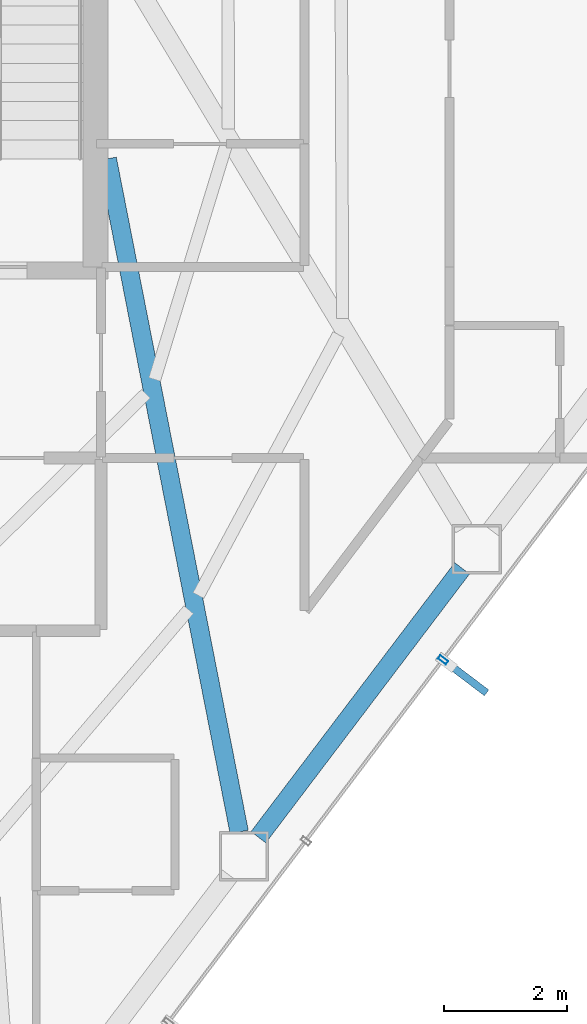
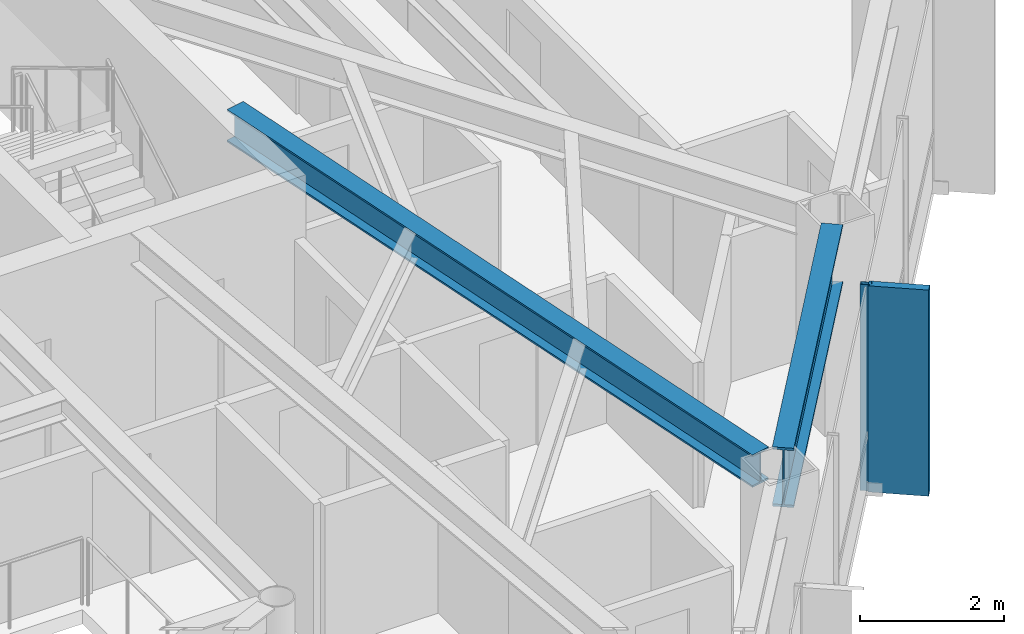
# One storey, part 17 of 28: 2 beams, 2 members, 1 element without a shape of its own.
"""IFC4 building model written with IfcOpenShell, lengths in metres."""

from ifc_helpers import new_model, si_unit, direction, frame, origin, origin_2d, place, context, subcontext, project, spatial, rectangle, hollow_rectangle, i_section, extrude, material, layer, layer_set, material_profile, profile_set, type_object, element, aggregate, save


model = new_model("IFC4")

# Units and contexts
model_context = context("Model", 3, precision=1e-05, world=origin(), true_north=direction((0.0, 1.0)))
body_context = subcontext(model_context, "Body", "Model", "MODEL_VIEW")
ifc_project = project(units=[si_unit("LENGTHUNIT", "METRE"), si_unit("AREAUNIT", "SQUARE_METRE"), si_unit("VOLUMEUNIT", "CUBIC_METRE"), si_unit("PLANEANGLEUNIT", "RADIAN"), si_unit("MASSUNIT", "GRAM", prefix="KILO")], contexts=[model_context])

# Site, building, storey
site_placement = place(None, origin())
site = spatial("IfcSite", under=ifc_project, at=site_placement, CompositionType="ELEMENT")
building_placement = place(site_placement, origin())
building = spatial("IfcBuilding", under=site, at=building_placement, Name="Zarrinselat Tower", CompositionType="ELEMENT")
storey_placement = place(building_placement, frame((0.0, 0.0, 123.419921875)))
storey = spatial("IfcBuildingStorey", under=building, at=storey_placement, Name="L29", CompositionType="ELEMENT", Elevation=123.419921875)

# Beams
ifc_material_1 = material(Name="Steel S355J2", Category="steel")
ifc_material_profile_1 = material_profile(ifc_material_1, i_section(OverallWidth=0.300048828125, OverallDepth=0.550048828125, WebThickness=0.014892578125, FlangeThickness=0.029052734375, at=origin_2d()), Name="HEB 550")
ifc_profile_set_1 = profile_set([ifc_material_profile_1], Name="Steel S355J2")
beam_type_1 = type_object("IfcBeamType", Name="BM-HEB550", PredefinedType="BEAM", material=ifc_profile_set_1)
beam_1_placement = place(storey_placement, frame((48.449951171875, 35.0, 3.22509765625), z_axis=(0.192394559614, -0.981317651645, 0.0), x_axis=(0.981317651645, 0.192394559614, 0.0)))
element("IfcBeam", 1, at=beam_1_placement, inside=storey, type_object=beam_type_1, Name="L29 Radial Primary Girder RG12", PredefinedType="BEAM", context=body_context, shape_type="SweptSolid", body=[
    extrude(i_section(OverallWidth=0.300048828125, OverallDepth=0.550048828125, WebThickness=0.014892578125, FlangeThickness=0.029052734375, at=origin_2d()), origin(), (0.0, 0.0, 1.0), 11.11865234375),
])
ifc_material_2 = material(Name="Steel S460M", Category="steel")
ifc_material_profile_2 = material_profile(ifc_material_2, i_section(OverallWidth=0.302001953125, OverallDepth=1.008056640625, WebThickness=0.02099609375, FlangeThickness=0.0400390625, at=origin_2d()), Name="HEM 1000")
ifc_profile_set_2 = profile_set([ifc_material_profile_2], Name="Steel S460M")
beam_type_2 = type_object("IfcBeamType", Name="BM-HEM1000", PredefinedType="BEAM", material=ifc_profile_set_2)
beam_2_placement = place(storey_placement, frame((50.900634765625, 24.00390625, 2.99609375), z_axis=(0.603885188212, 0.79707131391, 0.0), x_axis=(-0.79707131391, 0.603885188212, 0.0)))
element("IfcBeam", 2, at=beam_2_placement, inside=storey, type_object=beam_type_2, Name="L29 Perimeter Spandrel Girder SP12", PredefinedType="BEAM", context=body_context, shape_type="SweptSolid", body=[
    extrude(i_section(OverallWidth=0.302001953125, OverallDepth=1.008056640625, WebThickness=0.02099609375, FlangeThickness=0.0400390625, at=origin_2d()), origin(), (0.0, 0.0, 1.0), 5.469482421875),
])

# Curtain wall, members
ifc_material_3 = material(Name="Extruded Aluminium Alloy EN AW-6063 T6", Category="aluminium")
ifc_layer = layer(ifc_material_3, 0.175048828125)
ifc_layer_set = layer_set([ifc_layer], Name="Extruded Aluminium Alloy EN AW-6063 T6")
curtain_wall_type = type_object("IfcCurtainWallType", Name="CWS-HTL", PredefinedType="NOTDEFINED", material=ifc_layer_set)
curtain_wall_placement = place(storey_placement, origin())
curtain_wall = element("IfcCurtainWall", 3, at=curtain_wall_placement, inside=storey, type_object=curtain_wall_type, Name="L29 Unitised Curtain Wall CW-L29-E05", PredefinedType="NOTDEFINED")
ifc_material_4 = material(Name="Extruded Aluminium Alloy EN AW-6063 T6", Category="aluminium")
ifc_material_profile_3 = material_profile(ifc_material_4, hollow_rectangle(XDim=0.070068359375, YDim=0.159912109375, WallThickness=0.00390625, at=origin_2d()), Name="RHS 160x70x4")
ifc_profile_set_3 = profile_set([ifc_material_profile_3], Name="Extruded Aluminium Alloy EN AW-6063 T6")
member_type_1 = type_object("IfcMemberType", Name="MEM-CW-MUL2", PredefinedType="MULLION", material=ifc_profile_set_3)
member_1_placement = place(storey_placement, frame((53.894287109375, 26.879150390625, 0.0), z_axis=(0.0, 0.0, 1.0), x_axis=(0.603858135777, 0.797091808926, 0.0)))
member_1 = element("IfcMember", 4, at=member_1_placement, type_object=member_type_1, Name="CW-L29-E05 Mullion 3", PredefinedType="MULLION", context=body_context, shape_type="SweptSolid", body=[
    extrude(hollow_rectangle(XDim=0.070068359375, YDim=0.159912109375, WallThickness=0.00390625, at=origin_2d()), origin(), (0.0, 0.0, 1.0), 3.5),
])
ifc_material_5 = material(Name="Honed Cream Travertine Stone", Category="masonry")
ifc_material_profile_4 = material_profile(ifc_material_5, rectangle(XDim=0.1201171875, YDim=0.85009765625, at=origin_2d()), Name="FIN 850x120")
ifc_profile_set_4 = profile_set([ifc_material_profile_4], Name="Honed Cream Travertine Stone")
member_type_2 = type_object("IfcMemberType", Name="MEM-STONE-FIN", PredefinedType="USERDEFINED", material=ifc_profile_set_4)
member_2_placement = place(storey_placement, frame((54.260986328125, 26.601318359375, 0.0), z_axis=(0.0, 0.0, 1.0), x_axis=(-0.603858135777, -0.797091808926, 0.0)))
member_2 = element("IfcMember", 5, at=member_2_placement, type_object=member_type_2, Name="L29 Stone Shading Fin CW-L29-E05-03", ObjectType="FIN", PredefinedType="USERDEFINED", context=body_context, shape_type="SweptSolid", body=[
    extrude(rectangle(XDim=0.1201171875, YDim=0.85009765625, at=origin_2d()), origin(), (0.0, 0.0, 1.0), 3.5),
])
aggregate(curtain_wall, [member_1, member_2])

save(model, "model.ifc")
